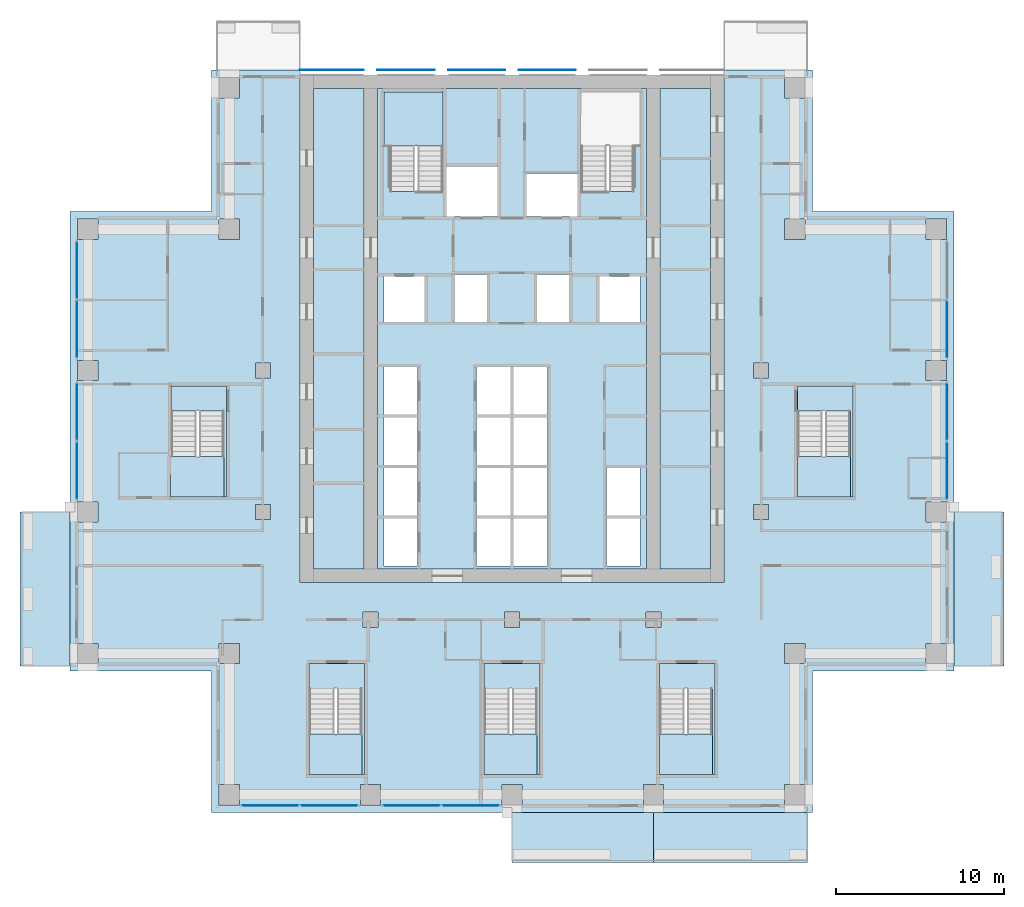
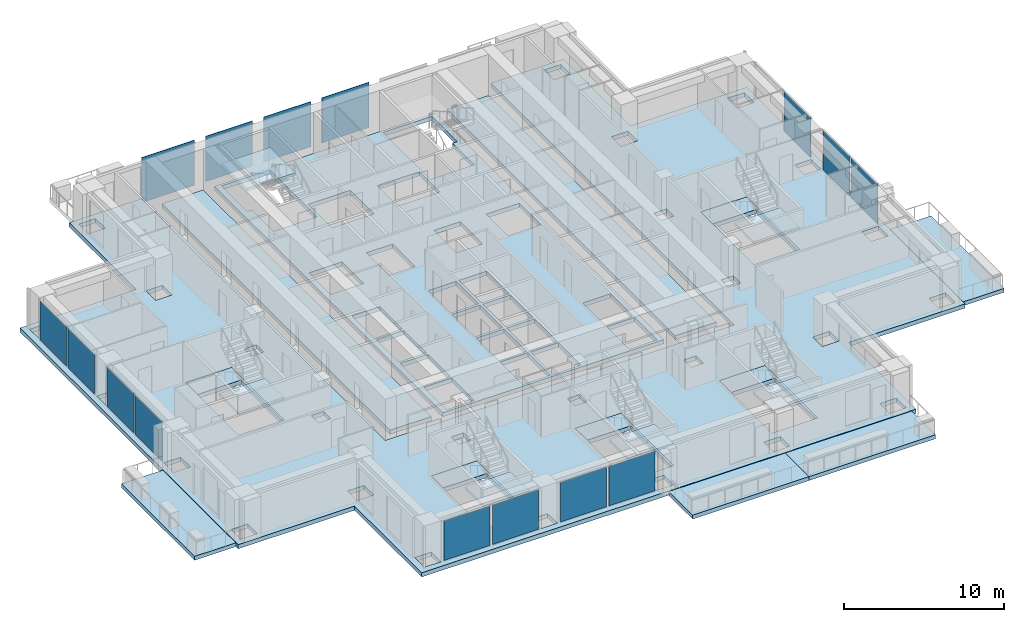
# One storey, part 7 of 18: 19 slabs, 15 plates, 12 elements without a shape of their own.
"""IFC4 building model written with IfcOpenShell, lengths in metres."""

import ifcopenshell
import ifcopenshell.guid

model = None  # the IFC model being written
_history = None  # IfcOwnerHistory: only IFC2X3 demands one
_inside = {}  # id of a spatial element -> (the spatial element, [elements in it])
_under = {}  # id of a project, library or spatial element -> (it, [spatial elements below it])
_declared = {}  # id of a project -> (the project, [libraries it declares])
_typed = {}  # id of a type object -> (the type object, [elements of that type])
_made_of = {}  # id of a material, layer set ... -> (it, [elements and type objects made of it])


def new_model(schema):
    """Start an empty IFC model of exactly this schema.

    Asked for "IFC4X3", IfcOpenShell would pick the latest addendum, in which some entities
    have other attributes; the version numbers below select the first issue.
    IFC2X3 requires an IfcOwnerHistory on every rooted entity: one is made here for all.
    """
    global model, _history
    if schema == "IFC4X3":
        model = ifcopenshell.file(schema_version=(4, 3, 0, 0))
    else:
        model = ifcopenshell.file(schema=schema)
    _inside.clear()
    _under.clear()
    _declared.clear()
    _typed.clear()
    _made_of.clear()
    _history = None
    if model.schema == "IFC2X3":
        org = make("IfcOrganization", Name="unknown")
        user = make(
            "IfcPersonAndOrganization",
            ThePerson=make("IfcPerson", FamilyName="unknown"),
            TheOrganization=org,
        )
        app = make(
            "IfcApplication",
            ApplicationDeveloper=org,
            Version="unknown",
            ApplicationFullName="unknown",
            ApplicationIdentifier="unknown",
        )
        _history = make(
            "IfcOwnerHistory",
            OwningUser=user,
            OwningApplication=app,
            ChangeAction="ADDED",
            CreationDate=0,
        )
    return model


def make(cls, **values):
    """One entity of the class cls with the attributes given. An attribute that is None is left unset."""
    return model.create_entity(
        cls, **{name: value for name, value in values.items() if value is not None}
    )


def rooted(cls, **values):
    """An entity with a GlobalId (a new one), such as an element, a storey or a relation."""
    return make(cls, GlobalId=ifcopenshell.guid.new(), OwnerHistory=_history, **values)


def si_unit(unit_type, name, prefix=None):
    """IfcSIUnit, for example si_unit("LENGTHUNIT", "METRE", prefix="MILLI")."""
    return make("IfcSIUnit", UnitType=unit_type, Prefix=prefix, Name=name)


def assignment(units):
    """IfcUnitAssignment: the units of a project."""
    return None if units is None else make("IfcUnitAssignment", Units=units)


def point(xyz):
    """IfcCartesianPoint."""
    return None if xyz is None else make("IfcCartesianPoint", Coordinates=xyz)


def direction(xyz):
    """IfcDirection."""
    return None if xyz is None else make("IfcDirection", DirectionRatios=xyz)


def frame(location, z_axis=None, x_axis=None):
    """IfcAxis2Placement3D, a coordinate frame: its origin and axes. An axis left out is left unset."""
    return make(
        "IfcAxis2Placement3D",
        Location=point(location),
        Axis=direction(z_axis),
        RefDirection=direction(x_axis),
    )


def frame_2d(location, x_axis=None):
    """IfcAxis2Placement2D, a coordinate frame in the plane: its origin and x axis."""
    return make(
        "IfcAxis2Placement2D", Location=point(location), RefDirection=direction(x_axis)
    )


def origin():
    """The frame at (0, 0, 0) with its axes left unset."""
    return frame((0.0, 0.0, 0.0))


def origin_2d():
    """The frame at (0, 0) in the plane with its x axis left unset."""
    return frame_2d((0.0, 0.0))


def place(relative_to, where):
    """IfcLocalPlacement: puts the frame where relative to a parent placement (None: the world)."""
    return make(
        "IfcLocalPlacement", PlacementRelTo=relative_to, RelativePlacement=where
    )


def context(
    kind, dimensions, precision=None, world=None, true_north=None, identifier=None
):
    """IfcGeometricRepresentationContext, for example the 3D "Model" context."""
    return make(
        "IfcGeometricRepresentationContext",
        ContextIdentifier=identifier,
        ContextType=kind,
        CoordinateSpaceDimension=dimensions,
        Precision=precision,
        WorldCoordinateSystem=world,
        TrueNorth=true_north,
    )


def subcontext(parent, identifier, kind, view, scale=None):
    """IfcGeometricRepresentationSubContext, for example "Body" below "Model"."""
    return make(
        "IfcGeometricRepresentationSubContext",
        ContextIdentifier=identifier,
        ContextType=kind,
        ParentContext=parent,
        TargetScale=scale,
        TargetView=view,
    )


def project(units=None, contexts=None):
    """IfcProject with its units and contexts."""
    return rooted(
        "IfcProject",
        Name="project",
        RepresentationContexts=contexts,
        UnitsInContext=assignment(units),
    )


def spatial(cls, under=None, at=None, **own):
    """A site, building, storey or space (cls), placed at a placement, below another one or the project."""
    s = rooted(cls, ObjectPlacement=at, **own)
    if under is not None:
        _under.setdefault(under.id(), (under, []))[1].append(s)
    return s


def polyline(points):
    """IfcPolyline through the points."""
    return make("IfcPolyline", Points=[point(p) for p in points])


def profile(cls, at=None, kind="AREA", **sizes):
    """A parametric profile (cls). Its sizes go by their IFC names, for example OverallWidth=200.0."""
    return make(cls, ProfileType=kind, Position=at, **sizes)


def rectangle(**sizes):
    """IfcRectangleProfileDef."""
    return profile("IfcRectangleProfileDef", **sizes)


def outline(outer, holes=None, kind="AREA"):
    """IfcArbitraryClosedProfileDef: a profile drawn as a closed curve; with holes, ...WithVoids."""
    if holes is None:
        return make("IfcArbitraryClosedProfileDef", ProfileType=kind, OuterCurve=outer)
    return make(
        "IfcArbitraryProfileDefWithVoids",
        ProfileType=kind,
        OuterCurve=outer,
        InnerCurves=holes,
    )


def extrude(swept, where, along, depth):
    """IfcExtrudedAreaSolid: the profile swept, set in the frame where, extruded along a direction by depth."""
    return make(
        "IfcExtrudedAreaSolid",
        SweptArea=swept,
        Position=where,
        ExtrudedDirection=direction(along),
        Depth=depth,
    )


def shape(context_of_items, identifier, shape_type, items):
    """IfcShapeRepresentation: the items that make up one representation, for example the "Body"."""
    return make(
        "IfcShapeRepresentation",
        ContextOfItems=context_of_items,
        RepresentationIdentifier=identifier,
        RepresentationType=shape_type,
        Items=items,
    )


def material(Name=None, Category=None):
    """IfcMaterial."""
    return make("IfcMaterial", Name=Name, Category=Category)


def layer(
    of_material, thickness, ventilated=None, Name=None, Category=None, Priority=None
):
    """IfcMaterialLayer: one layer of a wall or slab, of a material (None: an air gap)."""
    return make(
        "IfcMaterialLayer",
        Material=of_material,
        LayerThickness=thickness,
        IsVentilated=ventilated,
        Name=Name,
        Category=Category,
        Priority=Priority,
    )


def layer_set(layers, Name=None):
    """IfcMaterialLayerSet."""
    return make("IfcMaterialLayerSet", MaterialLayers=layers, LayerSetName=Name)


def made_of(thing, what):
    """Note that an element or type object is made of a material, layer set ...; save() writes the relation."""
    if what is not None:
        _made_of.setdefault(what.id(), (what, []))[1].append(thing)
    return thing


def type_object(cls, material=None, **own):
    """A type object (cls), such as IfcWallType, which elements share."""
    return made_of(rooted(cls, **own), material)


def element(
    cls,
    number,
    at=None,
    inside=None,
    cuts=None,
    type_object=None,
    material=None,
    context=None,
    identifier="Body",
    shape_type=None,
    held_by="IfcProductDefinitionShape",
    body=None,
    shapes=None,
    **own,
):
    """One element of the class cls, such as IfcWall. Its Tag is "e" and its number.

    at: its placement. inside: the storey or other place that contains it. cuts: it is an
    opening in that element (IfcRelVoidsElement). A single representation is given by context,
    identifier, shape_type and body (its items); several are given by shapes. held_by: the class
    of the entity that holds the representations. save() writes the other relations.
    """
    e = rooted(cls, Tag="e%d" % number, ObjectPlacement=at, **own)
    if body is not None:
        shapes = [shape(context, identifier, shape_type, body)]
    if shapes is not None:
        e.Representation = make(held_by, Representations=shapes)
    if inside is not None:
        _inside.setdefault(inside.id(), (inside, []))[1].append(e)
    if cuts is not None:
        rooted(
            "IfcRelVoidsElement", RelatingBuildingElement=cuts, RelatedOpeningElement=e
        )
    if type_object is not None:
        _typed.setdefault(type_object.id(), (type_object, []))[1].append(e)
    return made_of(e, material)


def aggregate(whole, parts):
    """IfcRelAggregates: a whole, such as a stair, and the parts it consists of."""
    return rooted("IfcRelAggregates", RelatingObject=whole, RelatedObjects=parts)


def save(model, path):
    """Write the relations noted so far, then the file.

    IfcRelAggregates (storeys below a building ...), IfcRelContainedInSpatialStructure (elements
    in a storey), IfcRelDefinesByType, IfcRelAssociatesMaterial and IfcRelDeclares: one each for
    every whole, place, type object, material and project.
    """
    for whole, parts in _under.values():
        aggregate(whole, parts)
    for where, things in _inside.values():
        rooted(
            "IfcRelContainedInSpatialStructure",
            RelatedElements=things,
            RelatingStructure=where,
        )
    for kind, things in _typed.values():
        rooted("IfcRelDefinesByType", RelatedObjects=things, RelatingType=kind)
    for what, things in _made_of.values():
        rooted("IfcRelAssociatesMaterial", RelatedObjects=things, RelatingMaterial=what)
    for by, libraries in _declared.values():
        rooted("IfcRelDeclares", RelatingContext=by, RelatedDefinitions=libraries)
    model.write(path)


model = new_model("IFC4")

# Units and contexts
model_context = context("Model", 3, precision=1e-05, world=origin(), true_north=direction((0.0, 1.0)))
body_context = subcontext(model_context, "Body", "Model", "MODEL_VIEW")
ifc_project = project(units=[si_unit("LENGTHUNIT", "METRE"), si_unit("AREAUNIT", "SQUARE_METRE"), si_unit("VOLUMEUNIT", "CUBIC_METRE"), si_unit("PLANEANGLEUNIT", "RADIAN"), si_unit("MASSUNIT", "GRAM", prefix="KILO")], contexts=[model_context])

# Site, building, storey
site_placement = place(None, origin())
site = spatial("IfcSite", under=ifc_project, at=site_placement, CompositionType="ELEMENT")
building_placement = place(site_placement, origin())
building = spatial("IfcBuilding", under=site, at=building_placement, Name="Vermilion Ogive Tower", CompositionType="ELEMENT")
storey_placement = place(building_placement, frame((0.0, 0.0, 94.199951171875)))
storey = spatial("IfcBuildingStorey", under=building, at=storey_placement, Name="L23", CompositionType="ELEMENT", Elevation=94.199951171875)

# Slabs
ifc_material_1 = material(Name="Concrete B40", Category="concrete")
ifc_layer_1 = layer(ifc_material_1, 0.300048828125)
ifc_layer_set_1 = layer_set([ifc_layer_1], Name="Balcony slab")
slab_type_1 = type_object("IfcSlabType", Name="Balcony slab", PredefinedType="FLOOR", material=ifc_layer_set_1)
slab_1_placement = place(storey_placement, frame((0.0, 0.0, -0.33984375)))
element("IfcSlab", 1, at=slab_1_placement, inside=storey, type_object=slab_type_1, Name="Balcony slab S03", PredefinedType="FLOOR", context=body_context, shape_type="SweptSolid", body=[
    extrude(outline(polyline([(0.0, -25.030029296875), (8.39990234375, -25.030029296875), (8.39990234375, -22.050048828125), (0.0, -22.050048828125), (0.0, -25.030029296875)])), origin(), (0.0, 0.0, 1.0), 0.2998046875),
])
slab_2_placement = place(storey_placement, frame((0.0, 0.0, -0.33984375)))
element("IfcSlab", 2, at=slab_2_placement, inside=storey, type_object=slab_type_1, Name="Balcony slab S04", PredefinedType="FLOOR", context=body_context, shape_type="SweptSolid", body=[
    extrude(outline(polyline([(8.39990234375, -25.030029296875), (17.550048828125, -25.030029296875), (17.550048828125, -22.050048828125), (8.39990234375, -22.050048828125), (8.39990234375, -25.030029296875)])), origin(), (0.0, 0.0, 1.0), 0.2998046875),
])
slab_3_placement = place(storey_placement, frame((0.0, 0.0, -0.33984375)))
element("IfcSlab", 3, at=slab_3_placement, inside=storey, type_object=slab_type_1, Name="Balcony slab E01", PredefinedType="FLOOR", context=body_context, shape_type="SweptSolid", body=[
    extrude(outline(polyline([(29.22998046875, -13.35009765625), (29.22998046875, -4.199951171875), (26.25, -4.199951171875), (26.25, -13.35009765625), (29.22998046875, -13.35009765625)])), origin(), (0.0, 0.0, 1.0), 0.2998046875),
])
slab_4_placement = place(storey_placement, frame((0.0, 0.0, -0.33984375)))
element("IfcSlab", 4, at=slab_4_placement, inside=storey, type_object=slab_type_1, Name="Balcony slab W03", PredefinedType="FLOOR", context=body_context, shape_type="SweptSolid", body=[
    extrude(outline(polyline([(-29.22998046875, -4.199951171875), (-29.22998046875, -13.35009765625), (-26.25, -13.35009765625), (-26.25, -4.199951171875), (-29.22998046875, -4.199951171875)])), origin(), (0.0, 0.0, 1.0), 0.2998046875),
])

# Curtain wall, plates
ifc_material_2 = material(Name="Low-iron laminated glazing in aluminium frame", Category="aluminium")
curtain_wall_type = type_object("IfcCurtainWallType", Name="Curtain wall CW7", PredefinedType="NOTDEFINED", material=ifc_material_2)
curtain_wall_1_placement = place(storey_placement, origin())
curtain_wall_1 = element("IfcCurtainWall", 5, at=curtain_wall_1_placement, inside=storey, type_object=curtain_wall_type, Name="Glazed skin S1", PredefinedType="NOTDEFINED")
ifc_material_3 = material(Name="Low-iron laminated glazing in aluminium frame", Category="aluminium")
ifc_layer_2 = layer(ifc_material_3, 0.031982421875)
ifc_layer_set_2 = layer_set([ifc_layer_2], Name="CW7 glazing panel 32")
plate_type_1 = type_object("IfcPlateType", Name="CW7 glazing panel 32", PredefinedType="CURTAIN_PANEL", material=ifc_layer_set_2)
plate_1_placement = place(storey_placement, frame((-14.35498046875, -21.64990234375, 0.06005859375), z_axis=(0.0, 0.0, 1.0), x_axis=(1.0, 0.0, 0.0)))
plate_1 = element("IfcPlate", 6, at=plate_1_placement, type_object=plate_type_1, Name="CW7-S1 panel 1.1", PredefinedType="CURTAIN_PANEL", context=body_context, shape_type="SweptSolid", body=[
    extrude(rectangle(XDim=3.330078125, YDim=0.031982421875, at=origin_2d()), origin(), (0.0, 0.0, 1.0), 3.010009765625),
])
plate_2_placement = place(storey_placement, frame((-10.844970703125, -21.64990234375, 0.06005859375), z_axis=(0.0, 0.0, 1.0), x_axis=(1.0, 0.0, 0.0)))
plate_2 = element("IfcPlate", 7, at=plate_2_placement, type_object=plate_type_1, Name="CW7-S1 panel 2.1", PredefinedType="CURTAIN_PANEL", context=body_context, shape_type="SweptSolid", body=[
    extrude(rectangle(XDim=3.330078125, YDim=0.031982421875, at=origin_2d()), origin(), (0.0, 0.0, 1.0), 3.010009765625),
])
aggregate(curtain_wall_1, [plate_1, plate_2])

curtain_wall_2_placement = place(storey_placement, origin())
curtain_wall_2 = element("IfcCurtainWall", 8, at=curtain_wall_2_placement, inside=storey, type_object=curtain_wall_type, Name="Glazed skin S2", PredefinedType="NOTDEFINED")
plate_3_placement = place(storey_placement, frame((-5.955078125, -21.64990234375, 0.06005859375), z_axis=(0.0, 0.0, 1.0), x_axis=(1.0, 0.0, 0.0)))
plate_3 = element("IfcPlate", 9, at=plate_3_placement, type_object=plate_type_1, Name="CW7-S2 panel 1.1", PredefinedType="CURTAIN_PANEL", context=body_context, shape_type="SweptSolid", body=[
    extrude(rectangle(XDim=3.330078125, YDim=0.031982421875, at=origin_2d()), origin(), (0.0, 0.0, 1.0), 3.010009765625),
])
plate_4_placement = place(storey_placement, frame((-2.445068359375, -21.64990234375, 0.06005859375), z_axis=(0.0, 0.0, 1.0), x_axis=(1.0, 0.0, 0.0)))
plate_4 = element("IfcPlate", 10, at=plate_4_placement, type_object=plate_type_1, Name="CW7-S2 panel 2.1", PredefinedType="CURTAIN_PANEL", context=body_context, shape_type="SweptSolid", body=[
    extrude(rectangle(XDim=3.330078125, YDim=0.031982421875, at=origin_2d()), origin(), (0.0, 0.0, 1.0), 3.010009765625),
])
aggregate(curtain_wall_2, [plate_3, plate_4])

curtain_wall_3_placement = place(storey_placement, origin())
curtain_wall_3 = element("IfcCurtainWall", 11, at=curtain_wall_3_placement, inside=storey, type_object=curtain_wall_type, Name="Glazed skin E2", PredefinedType="NOTDEFINED")
plate_5_placement = place(storey_placement, frame((25.85009765625, -1.7548828125, 0.06005859375), z_axis=(0.0, 0.0, 1.0), x_axis=(0.0, 1.0, 0.0)))
plate_5 = element("IfcPlate", 12, at=plate_5_placement, type_object=plate_type_1, Name="CW7-E2 panel 1.1", PredefinedType="CURTAIN_PANEL", context=body_context, shape_type="SweptSolid", body=[
    extrude(rectangle(XDim=3.330078125, YDim=0.031982421875, at=origin_2d()), origin(), (0.0, 0.0, 1.0), 3.010009765625),
])
plate_6_placement = place(storey_placement, frame((25.85009765625, 1.7548828125, 0.06005859375), z_axis=(0.0, 0.0, 1.0), x_axis=(0.0, 1.0, 0.0)))
plate_6 = element("IfcPlate", 13, at=plate_6_placement, type_object=plate_type_1, Name="CW7-E2 panel 2.1", PredefinedType="CURTAIN_PANEL", context=body_context, shape_type="SweptSolid", body=[
    extrude(rectangle(XDim=3.330078125, YDim=0.031982421875, at=origin_2d()), origin(), (0.0, 0.0, 1.0), 3.010009765625),
])
aggregate(curtain_wall_3, [plate_5, plate_6])

# Curtain wall, plate
curtain_wall_4_placement = place(storey_placement, origin())
curtain_wall_4 = element("IfcCurtainWall", 14, at=curtain_wall_4_placement, inside=storey, type_object=curtain_wall_type, Name="Glazed skin E3", PredefinedType="NOTDEFINED")
plate_7_placement = place(storey_placement, frame((25.85009765625, 6.64501953125, 0.06005859375), z_axis=(0.0, 0.0, 1.0), x_axis=(0.0, 1.0, 0.0)))
plate_7 = element("IfcPlate", 15, at=plate_7_placement, type_object=plate_type_1, Name="CW7-E3 panel 1.1", PredefinedType="CURTAIN_PANEL", context=body_context, shape_type="SweptSolid", body=[
    extrude(rectangle(XDim=3.330078125, YDim=0.031982421875, at=origin_2d()), origin(), (0.0, 0.0, 1.0), 3.010009765625),
])
aggregate(curtain_wall_4, [plate_7])

# Curtain wall, plates
curtain_wall_5_placement = place(storey_placement, origin())
curtain_wall_5 = element("IfcCurtainWall", 16, at=curtain_wall_5_placement, inside=storey, type_object=curtain_wall_type, Name="Glazed skin W1", PredefinedType="NOTDEFINED")
plate_8_placement = place(storey_placement, frame((-25.85009765625, 10.155029296875, 0.06005859375), z_axis=(0.0, 0.0, 1.0), x_axis=(0.0, -1.0, 0.0)))
plate_8 = element("IfcPlate", 17, at=plate_8_placement, type_object=plate_type_1, Name="CW7-W1 panel 1.1", PredefinedType="CURTAIN_PANEL", context=body_context, shape_type="SweptSolid", body=[
    extrude(rectangle(XDim=3.330078125, YDim=0.031982421875, at=origin_2d()), origin(), (0.0, 0.0, 1.0), 3.010009765625),
])
plate_9_placement = place(storey_placement, frame((-25.85009765625, 6.64501953125, 0.06005859375), z_axis=(0.0, 0.0, 1.0), x_axis=(0.0, -1.0, 0.0)))
plate_9 = element("IfcPlate", 18, at=plate_9_placement, type_object=plate_type_1, Name="CW7-W1 panel 2.1", PredefinedType="CURTAIN_PANEL", context=body_context, shape_type="SweptSolid", body=[
    extrude(rectangle(XDim=3.330078125, YDim=0.031982421875, at=origin_2d()), origin(), (0.0, 0.0, 1.0), 3.010009765625),
])
aggregate(curtain_wall_5, [plate_8, plate_9])

curtain_wall_6_placement = place(storey_placement, origin())
curtain_wall_6 = element("IfcCurtainWall", 19, at=curtain_wall_6_placement, inside=storey, type_object=curtain_wall_type, Name="Glazed skin W2", PredefinedType="NOTDEFINED")
plate_10_placement = place(storey_placement, frame((-25.85009765625, 1.7548828125, 0.06005859375), z_axis=(0.0, 0.0, 1.0), x_axis=(0.0, -1.0, 0.0)))
plate_10 = element("IfcPlate", 20, at=plate_10_placement, type_object=plate_type_1, Name="CW7-W2 panel 1.1", PredefinedType="CURTAIN_PANEL", context=body_context, shape_type="SweptSolid", body=[
    extrude(rectangle(XDim=3.330078125, YDim=0.031982421875, at=origin_2d()), origin(), (0.0, 0.0, 1.0), 3.010009765625),
])
plate_11_placement = place(storey_placement, frame((-25.85009765625, -1.7548828125, 0.06005859375), z_axis=(0.0, 0.0, 1.0), x_axis=(0.0, -1.0, 0.0)))
plate_11 = element("IfcPlate", 21, at=plate_11_placement, type_object=plate_type_1, Name="CW7-W2 panel 2.1", PredefinedType="CURTAIN_PANEL", context=body_context, shape_type="SweptSolid", body=[
    extrude(rectangle(XDim=3.330078125, YDim=0.031982421875, at=origin_2d()), origin(), (0.0, 0.0, 1.0), 3.010009765625),
])
aggregate(curtain_wall_6, [plate_10, plate_11])

# Slabs
ifc_material_4 = material(Name="Concrete B40", Category="concrete")
ifc_layer_3 = layer(ifc_material_4, 0.320068359375)
ifc_layer_set_3 = layer_set([ifc_layer_3], Name="Core floor slab 320 B40")
slab_type_2 = type_object("IfcSlabType", Name="Core floor slab 320 B40", PredefinedType="FLOOR", material=ifc_layer_set_3)
slab_5_placement = place(storey_placement, frame((0.0, 0.0, -0.320068359375)))
element("IfcSlab", 22, at=slab_5_placement, inside=storey, type_object=slab_type_2, Name="L23-CK-FS1", PredefinedType="FLOOR", context=body_context, shape_type="SweptSolid", body=[
    extrude(outline(polyline([(-8.803955078125, 20.946044921875), (-8.803955078125, -7.595947265625), (-11.7958984375, -7.595947265625), (-11.7958984375, 20.946044921875), (-8.803955078125, 20.946044921875)])), origin(), (0.0, 0.0, 1.0), 0.320068359375),
])
slab_6_placement = place(storey_placement, frame((0.0, 0.0, -0.320068359375)))
element("IfcSlab", 23, at=slab_6_placement, inside=storey, type_object=slab_type_2, Name="L23-CK-FS2", PredefinedType="FLOOR", context=body_context, shape_type="SweptSolid", body=[
    extrude(outline(polyline([(-7.99609375, 20.946044921875), (-7.99609375, -7.595947265625), (7.99609375, -7.595947265625), (7.99609375, 20.946044921875), (-7.99609375, 20.946044921875)]), holes=[polyline([(-7.60009765625, -4.60009765625), (-5.60009765625, -4.60009765625), (-5.60009765625, -7.39990234375), (-7.60009765625, -7.39990234375), (-7.60009765625, -4.60009765625)]), polyline([(-2.10009765625, -4.60009765625), (-0.10009765625, -4.60009765625), (-0.10009765625, -7.39990234375), (-2.10009765625, -7.39990234375), (-2.10009765625, -4.60009765625)]), polyline([(-7.60009765625, -4.39990234375), (-7.60009765625, -1.60009765625), (-5.60009765625, -1.60009765625), (-5.60009765625, -4.39990234375), (-7.60009765625, -4.39990234375)]), polyline([(-2.10009765625, -1.60009765625), (-0.10009765625, -1.60009765625), (-0.10009765625, -4.39990234375), (-2.10009765625, -4.39990234375), (-2.10009765625, -1.60009765625)]), polyline([(-7.60009765625, -1.39990234375), (-7.60009765625, 1.39990234375), (-5.60009765625, 1.39990234375), (-5.60009765625, -1.39990234375), (-7.60009765625, -1.39990234375)]), polyline([(-2.10009765625, 1.39990234375), (-0.10009765625, 1.39990234375), (-0.10009765625, -1.39990234375), (-2.10009765625, -1.39990234375), (-2.10009765625, 1.39990234375)]), polyline([(-7.60009765625, 4.39990234375), (-5.60009765625, 4.39990234375), (-5.60009765625, 1.60009765625), (-7.60009765625, 1.60009765625), (-7.60009765625, 4.39990234375)]), polyline([(-2.10009765625, 4.39990234375), (-0.10009765625, 4.39990234375), (-0.10009765625, 1.60009765625), (-2.10009765625, 1.60009765625), (-2.10009765625, 4.39990234375)]), polyline([(-7.60009765625, 9.800048828125), (-5.199951171875, 9.800048828125), (-5.199951171875, 7.10009765625), (-7.60009765625, 7.10009765625), (-7.60009765625, 9.800048828125)]), polyline([(-3.39990234375, 9.89990234375), (-1.5, 9.89990234375), (-1.5, 7.10009765625), (-3.39990234375, 7.10009765625), (-3.39990234375, 9.89990234375)]), polyline([(-3.89990234375, 16.300048828125), (-0.85009765625, 16.300048828125), (-0.85009765625, 13.35009765625), (-3.89990234375, 13.35009765625), (-3.89990234375, 16.300048828125)]), polyline([(-7.60009765625, 17.550048828125), (-7.60009765625, 20.75), (-4.10009765625, 20.75), (-4.10009765625, 14.85205078125), (-5.60009765625, 14.85205078125), (-5.60009765625, 14.85009765625), (-5.75, 14.85009765625), (-5.75, 14.85205078125), (-7.25, 14.85205078125), (-7.25, 17.550048828125), (-7.60009765625, 17.550048828125)]), polyline([(0.10009765625, -4.60009765625), (2.10009765625, -4.60009765625), (2.10009765625, -7.39990234375), (0.10009765625, -7.39990234375), (0.10009765625, -4.60009765625)]), polyline([(5.60009765625, -4.60009765625), (7.60009765625, -4.60009765625), (7.60009765625, -7.39990234375), (5.60009765625, -7.39990234375), (5.60009765625, -4.60009765625)]), polyline([(0.10009765625, -1.60009765625), (2.10009765625, -1.60009765625), (2.10009765625, -4.39990234375), (0.10009765625, -4.39990234375), (0.10009765625, -1.60009765625)]), polyline([(5.60009765625, -1.60009765625), (7.60009765625, -1.60009765625), (7.60009765625, -4.39990234375), (5.60009765625, -4.39990234375), (5.60009765625, -1.60009765625)]), polyline([(0.10009765625, 1.39990234375), (2.10009765625, 1.39990234375), (2.10009765625, -1.39990234375), (0.10009765625, -1.39990234375), (0.10009765625, 1.39990234375)]), polyline([(0.10009765625, 4.39990234375), (2.10009765625, 4.39990234375), (2.10009765625, 1.60009765625), (0.10009765625, 1.60009765625), (0.10009765625, 4.39990234375)]), polyline([(5.199951171875, 9.800048828125), (7.60009765625, 9.800048828125), (7.60009765625, 7.10009765625), (5.199951171875, 7.10009765625), (5.199951171875, 9.800048828125)]), polyline([(1.5, 9.89990234375), (3.39990234375, 9.89990234375), (3.39990234375, 7.10009765625), (1.5, 7.10009765625), (1.5, 9.89990234375)]), polyline([(0.85009765625, 15.89990234375), (3.89990234375, 15.89990234375), (3.89990234375, 13.35009765625), (0.85009765625, 13.35009765625), (0.85009765625, 15.89990234375)]), polyline([(5.75, 14.85009765625), (5.60009765625, 14.85009765625), (5.60009765625, 14.85205078125), (4.10009765625, 14.85205078125), (4.10009765625, 17.550048828125), (4.074951171875, 17.550048828125), (4.074951171875, 20.75), (7.60009765625, 20.75), (7.60009765625, 17.550048828125), (7.25, 17.550048828125), (7.25, 14.85205078125), (5.75, 14.85205078125), (5.75, 14.85009765625)])]), origin(), (0.0, 0.0, 1.0), 0.320068359375),
])
slab_7_placement = place(storey_placement, frame((0.0, 0.0, -0.320068359375)))
element("IfcSlab", 24, at=slab_7_placement, inside=storey, type_object=slab_type_2, Name="L23-CK-FS3", PredefinedType="FLOOR", context=body_context, shape_type="SweptSolid", body=[
    extrude(outline(polyline([(11.7958984375, -7.595947265625), (8.803955078125, -7.595947265625), (8.803955078125, 20.946044921875), (11.7958984375, 20.946044921875), (11.7958984375, -7.595947265625)])), origin(), (0.0, 0.0, 1.0), 0.320068359375),
])
slab_8_placement = place(storey_placement, frame((0.0, 0.0, -0.320068359375)))
element("IfcSlab", 25, at=slab_8_placement, inside=storey, type_object=slab_type_2, Name="L23-SF-ST3-1", PredefinedType="FLOOR", context=body_context, shape_type="SweptSolid", body=[
    extrude(outline(polyline([(-12.050048828125, -13.199951171875), (-12.050048828125, -14.701904296875), (-10.550048828125, -14.701904296875), (-10.550048828125, -14.699951171875), (-10.39990234375, -14.699951171875), (-10.39990234375, -14.701904296875), (-8.89990234375, -14.701904296875), (-8.89990234375, -19.800048828125), (-8.75, -19.800048828125), (-8.75, -13.199951171875), (-12.050048828125, -13.199951171875)])), origin(), (0.0, 0.0, 1.0), 0.320068359375),
])
slab_9_placement = place(storey_placement, frame((0.0, 0.0, -0.320068359375)))
element("IfcSlab", 26, at=slab_9_placement, inside=storey, type_object=slab_type_2, Name="L23-SF-ST4-1", PredefinedType="FLOOR", context=body_context, shape_type="SweptSolid", body=[
    extrude(outline(polyline([(-1.64990234375, -13.199951171875), (-1.64990234375, -14.701904296875), (-0.14990234375, -14.701904296875), (-0.14990234375, -14.699951171875), (0.0, -14.699951171875), (0.0, -14.701904296875), (1.5, -14.701904296875), (1.5, -19.800048828125), (1.64990234375, -19.800048828125), (1.64990234375, -13.199951171875), (-1.64990234375, -13.199951171875)])), origin(), (0.0, 0.0, 1.0), 0.320068359375),
])
slab_10_placement = place(storey_placement, frame((0.0, 0.0, -0.320068359375)))
element("IfcSlab", 27, at=slab_10_placement, inside=storey, type_object=slab_type_2, Name="L23-SF-ST5-1", PredefinedType="FLOOR", context=body_context, shape_type="SweptSolid", body=[
    extrude(outline(polyline([(8.75, -13.199951171875), (8.75, -14.701904296875), (10.25, -14.701904296875), (10.25, -14.699951171875), (10.39990234375, -14.699951171875), (10.39990234375, -14.701904296875), (11.89990234375, -14.701904296875), (11.89990234375, -19.800048828125), (12.050048828125, -19.800048828125), (12.050048828125, -13.199951171875), (8.75, -13.199951171875)])), origin(), (0.0, 0.0, 1.0), 0.320068359375),
])
slab_11_placement = place(storey_placement, frame((0.0, 0.0, -0.320068359375)))
element("IfcSlab", 28, at=slab_11_placement, inside=storey, type_object=slab_type_2, Name="L23-SF-ST8-1", PredefinedType="FLOOR", context=body_context, shape_type="SweptSolid", body=[
    extrude(outline(polyline([(16.949951171875, 3.300048828125), (16.949951171875, 1.798095703125), (18.449951171875, 1.798095703125), (18.449951171875, 1.800048828125), (18.60009765625, 1.800048828125), (18.60009765625, 1.798095703125), (20.10009765625, 1.798095703125), (20.10009765625, -3.300048828125), (20.25, -3.300048828125), (20.25, 3.300048828125), (16.949951171875, 3.300048828125)])), origin(), (0.0, 0.0, 1.0), 0.320068359375),
])
slab_12_placement = place(storey_placement, frame((0.0, 0.0, -0.320068359375)))
element("IfcSlab", 29, at=slab_12_placement, inside=storey, type_object=slab_type_2, Name="L23-SF-ST9-1", PredefinedType="FLOOR", context=body_context, shape_type="SweptSolid", body=[
    extrude(outline(polyline([(-20.25, 3.300048828125), (-20.25, 1.798095703125), (-18.75, 1.798095703125), (-18.75, 1.800048828125), (-18.60009765625, 1.800048828125), (-18.60009765625, 1.798095703125), (-17.10009765625, 1.798095703125), (-17.10009765625, -3.300048828125), (-16.949951171875, -3.300048828125), (-16.949951171875, 3.300048828125), (-20.25, 3.300048828125)])), origin(), (0.0, 0.0, 1.0), 0.320068359375),
])

# Plates
ifc_material_5 = material(Name="Low-iron laminated glazing in aluminium frame", Category="aluminium")
ifc_layer_4 = layer(ifc_material_5, 0.031982421875)
ifc_layer_set_4 = layer_set([ifc_layer_4], Name="Glazed rainscreen sheet 32")
plate_type_2 = type_object("IfcPlateType", Name="Glazed rainscreen sheet 32", PredefinedType="SHEET", material=ifc_layer_set_4)
plate_12_placement = place(storey_placement, frame((-10.7099609375, 22.06591796875, -0.31982421875), z_axis=(0.0, 0.0, 1.0), x_axis=(1.0, 0.0, 0.0)))
element("IfcPlate", 30, at=plate_12_placement, inside=storey, type_object=plate_type_2, Name="Glazed rainscreen sheet N1", PredefinedType="SHEET", context=body_context, shape_type="SweptSolid", body=[
    extrude(rectangle(XDim=3.820068359375, YDim=0.031982421875, at=origin_2d()), origin(), (0.0, 0.0, 1.0), 3.449951171875),
])
for number, where, z_axis, x_axis, name in (
    (31, (-6.300048828125, 22.06591796875, -0.31982421875), (0.0, 0.0, 1.0), (1.0, 0.0, 0.0), "Glazed rainscreen sheet N2"),
    (32, (-2.10009765625, 22.06591796875, -0.31982421875), (0.0, 0.0, 1.0), (1.0, 0.0, 0.0), "Glazed rainscreen sheet N3"),
    (33, (2.10009765625, 22.06591796875, -0.31982421875), (0.0, 0.0, 1.0), (1.0, 0.0, 0.0), "Glazed rainscreen sheet N4"),
):
    element("IfcPlate", number, at=place(storey_placement, frame(where, z_axis=z_axis, x_axis=x_axis)), inside=storey, type_object=plate_type_2, Name=name, PredefinedType="SHEET", context=body_context, shape_type="SweptSolid", body=[
        extrude(rectangle(XDim=3.39990234375, YDim=0.031982421875, at=origin_2d()), origin(), (0.0, 0.0, 1.0), 3.449951171875),
    ])

# Slab
ifc_material_6 = material(Name="Concrete B45", Category="concrete")
ifc_layer_5 = layer(ifc_material_6, 0.320068359375)
ifc_layer_set_5 = layer_set([ifc_layer_5], Name="Post-tensioned flat plate 320 B45")
slab_type_3 = type_object("IfcSlabType", Name="Post-tensioned flat plate 320 B45", PredefinedType="FLOOR", material=ifc_layer_set_5)
slab_13_placement = place(storey_placement, frame((0.0, 0.0, -0.320068359375)))
element("IfcSlab", 34, at=slab_13_placement, inside=storey, type_object=slab_type_3, Name="L23-SL-1", PredefinedType="FLOOR", context=body_context, shape_type="SweptSolid", body=[
    extrude(outline(polyline([(-26.25, -13.64990234375), (-17.85009765625, -13.64990234375), (-17.85009765625, -22.050048828125), (17.85009765625, -22.050048828125), (17.85009765625, -13.64990234375), (26.25, -13.64990234375), (26.25, 13.64990234375), (17.85009765625, 13.64990234375), (17.85009765625, 22.050048828125), (12.60009765625, 22.050048828125), (12.60009765625, -8.39990234375), (-12.60009765625, -8.39990234375), (-12.60009765625, 22.050048828125), (-17.85009765625, 22.050048828125), (-17.85009765625, 13.64990234375), (-26.25, 13.64990234375), (-26.25, -13.64990234375)]), holes=[polyline([(25.800048828125, -3.60009765625), (25.800048828125, -4.800048828125), (24.60009765625, -4.800048828125), (24.60009765625, -3.60009765625), (25.800048828125, -3.60009765625)]), polyline([(25.800048828125, -12.0), (25.800048828125, -13.199951171875), (24.60009765625, -13.199951171875), (24.60009765625, -12.0), (25.800048828125, -12.0)]), polyline([(25.800048828125, 12.0), (24.60009765625, 12.0), (24.60009765625, 13.199951171875), (25.800048828125, 13.199951171875), (25.800048828125, 12.0)]), polyline([(25.800048828125, 3.60009765625), (24.60009765625, 3.60009765625), (24.60009765625, 4.800048828125), (25.800048828125, 4.800048828125), (25.800048828125, 3.60009765625)]), polyline([(20.25, 3.300048828125), (20.25, -3.300048828125), (16.949951171875, -3.300048828125), (16.949951171875, 3.300048828125), (20.25, 3.300048828125)]), polyline([(17.39990234375, -12.0), (17.39990234375, -13.199951171875), (16.199951171875, -13.199951171875), (16.199951171875, -12.0), (17.39990234375, -12.0)]), polyline([(17.39990234375, 20.39990234375), (16.199951171875, 20.39990234375), (16.199951171875, 21.60009765625), (17.39990234375, 21.60009765625), (17.39990234375, 20.39990234375)]), polyline([(17.39990234375, -20.39990234375), (17.39990234375, -21.60009765625), (16.199951171875, -21.60009765625), (16.199951171875, -20.39990234375), (17.39990234375, -20.39990234375)]), polyline([(17.39990234375, 13.199951171875), (17.39990234375, 12.0), (16.199951171875, 12.0), (16.199951171875, 13.199951171875), (17.39990234375, 13.199951171875)]), polyline([(15.25, 4.64990234375), (15.25, 3.75), (14.35009765625, 3.75), (14.35009765625, 4.64990234375), (15.25, 4.64990234375)]), polyline([(15.25, -4.64990234375), (14.35009765625, -4.64990234375), (14.35009765625, -3.75), (15.25, -3.75), (15.25, -4.64990234375)]), polyline([(12.050048828125, -13.199951171875), (12.050048828125, -19.800048828125), (8.75, -19.800048828125), (8.75, -13.199951171875), (12.050048828125, -13.199951171875)]), polyline([(9.0, -20.39990234375), (9.0, -21.60009765625), (7.800048828125, -21.60009765625), (7.800048828125, -20.39990234375), (9.0, -20.39990234375)]), polyline([(8.85009765625, -11.050048828125), (7.949951171875, -11.050048828125), (7.949951171875, -10.14990234375), (8.85009765625, -10.14990234375), (8.85009765625, -11.050048828125)]), polyline([(1.64990234375, -13.199951171875), (1.64990234375, -19.800048828125), (-1.64990234375, -19.800048828125), (-1.64990234375, -13.199951171875), (1.64990234375, -13.199951171875)]), polyline([(0.60009765625, -20.39990234375), (0.60009765625, -21.60009765625), (-0.60009765625, -21.60009765625), (-0.60009765625, -20.39990234375), (0.60009765625, -20.39990234375)]), polyline([(0.449951171875, -10.14990234375), (0.449951171875, -11.050048828125), (-0.449951171875, -11.050048828125), (-0.449951171875, -10.14990234375), (0.449951171875, -10.14990234375)]), polyline([(-7.800048828125, -20.39990234375), (-7.800048828125, -21.60009765625), (-9.0, -21.60009765625), (-9.0, -20.39990234375), (-7.800048828125, -20.39990234375)]), polyline([(-7.949951171875, -10.14990234375), (-7.949951171875, -11.050048828125), (-8.85009765625, -11.050048828125), (-8.85009765625, -10.14990234375), (-7.949951171875, -10.14990234375)]), polyline([(-8.75, -13.199951171875), (-8.75, -19.800048828125), (-12.050048828125, -19.800048828125), (-12.050048828125, -13.199951171875), (-8.75, -13.199951171875)]), polyline([(-14.35009765625, 4.64990234375), (-14.35009765625, 3.75), (-15.25, 3.75), (-15.25, 4.64990234375), (-14.35009765625, 4.64990234375)]), polyline([(-14.35009765625, -4.64990234375), (-15.25, -4.64990234375), (-15.25, -3.75), (-14.35009765625, -3.75), (-14.35009765625, -4.64990234375)]), polyline([(-16.199951171875, 13.199951171875), (-16.199951171875, 12.0), (-17.39990234375, 12.0), (-17.39990234375, 13.199951171875), (-16.199951171875, 13.199951171875)]), polyline([(-16.199951171875, -12.0), (-16.199951171875, -13.199951171875), (-17.39990234375, -13.199951171875), (-17.39990234375, -12.0), (-16.199951171875, -12.0)]), polyline([(-16.199951171875, -20.39990234375), (-16.199951171875, -21.60009765625), (-17.39990234375, -21.60009765625), (-17.39990234375, -20.39990234375), (-16.199951171875, -20.39990234375)]), polyline([(-16.199951171875, 20.39990234375), (-17.39990234375, 20.39990234375), (-17.39990234375, 21.60009765625), (-16.199951171875, 21.60009765625), (-16.199951171875, 20.39990234375)]), polyline([(-16.949951171875, 3.300048828125), (-16.949951171875, -3.300048828125), (-20.25, -3.300048828125), (-20.25, -3.2998046875), (-20.275146484375, -3.2998046875), (-20.275146484375, -0.89990234375), (-20.25, -0.89990234375), (-20.25, 3.300048828125), (-16.949951171875, 3.300048828125)]), polyline([(-24.60009765625, 3.60009765625), (-25.800048828125, 3.60009765625), (-25.800048828125, 4.800048828125), (-24.60009765625, 4.800048828125), (-24.60009765625, 3.60009765625)]), polyline([(-24.60009765625, 13.199951171875), (-24.60009765625, 12.0), (-25.800048828125, 12.0), (-25.800048828125, 13.199951171875), (-24.60009765625, 13.199951171875)]), polyline([(-24.60009765625, -3.60009765625), (-24.60009765625, -4.800048828125), (-25.800048828125, -4.800048828125), (-25.800048828125, -3.60009765625), (-24.60009765625, -3.60009765625)]), polyline([(-24.60009765625, -12.0), (-24.60009765625, -13.199951171875), (-25.800048828125, -13.199951171875), (-25.800048828125, -12.0), (-24.60009765625, -12.0)])]), origin(), (0.0, 0.0, 1.0), 0.320068359375),
])

# Stair, slab
ifc_material_7 = material(Name="Concrete B40", Category="concrete")
stair_type = type_object("IfcStairType", Name="Exit stair 1500", PredefinedType="HALF_TURN_STAIR", material=ifc_material_7)
stair_1_placement = place(storey_placement, origin())
stair_1 = element("IfcStair", 35, at=stair_1_placement, inside=storey, type_object=stair_type, Name="L23 Exit Stair ST1", PredefinedType="HALF_TURN_STAIR")
ifc_material_8 = material(Name="Concrete B40", Category="concrete")
ifc_layer_6 = layer(ifc_material_8, 0.199951171875)
ifc_layer_set_6 = layer_set([ifc_layer_6], Name="Stair landing 200")
slab_type_4 = type_object("IfcSlabType", Name="Stair landing 200", PredefinedType="LANDING", material=ifc_layer_set_6)
slab_14_placement = place(storey_placement, frame((0.0, 0.0, 1.525146484375)))
slab_14 = element("IfcSlab", 36, at=slab_14_placement, type_object=slab_type_4, Name="ST1 landing 1", PredefinedType="LANDING", context=body_context, shape_type="SweptSolid", body=[
    extrude(outline(polyline([(-7.60009765625, 17.550048828125), (-7.25, 17.550048828125), (-7.25, 17.548095703125), (-5.75, 17.548095703125), (-5.75, 17.550048828125), (-5.60009765625, 17.550048828125), (-5.60009765625, 17.548095703125), (-4.10009765625, 17.548095703125), (-4.10009765625, 20.75), (-7.60009765625, 20.75), (-7.60009765625, 17.550048828125)])), origin(), (0.0, 0.0, 1.0), 0.199951171875),
])
aggregate(stair_1, [slab_14])

stair_2_placement = place(storey_placement, origin())
stair_2 = element("IfcStair", 37, at=stair_2_placement, inside=storey, type_object=stair_type, Name="L23 Exit Stair ST3", PredefinedType="HALF_TURN_STAIR")
slab_15_placement = place(storey_placement, frame((0.0, 0.0, 1.525146484375)))
slab_15 = element("IfcSlab", 38, at=slab_15_placement, type_object=slab_type_4, Name="ST3 landing 1", PredefinedType="LANDING", context=body_context, shape_type="SweptSolid", body=[
    extrude(outline(polyline([(-8.75, -17.39990234375), (-8.89990234375, -17.39990234375), (-8.89990234375, -17.39794921875), (-10.39990234375, -17.39794921875), (-10.39990234375, -17.39990234375), (-10.550048828125, -17.39990234375), (-10.550048828125, -17.39794921875), (-12.050048828125, -17.39794921875), (-12.050048828125, -19.800048828125), (-8.75, -19.800048828125), (-8.75, -17.39990234375)])), origin(), (0.0, 0.0, 1.0), 0.199951171875),
])
aggregate(stair_2, [slab_15])

stair_3_placement = place(storey_placement, origin())
stair_3 = element("IfcStair", 39, at=stair_3_placement, inside=storey, type_object=stair_type, Name="L23 Exit Stair ST4", PredefinedType="HALF_TURN_STAIR")
slab_16_placement = place(storey_placement, frame((0.0, 0.0, 1.525146484375)))
slab_16 = element("IfcSlab", 40, at=slab_16_placement, type_object=slab_type_4, Name="ST4 landing 1", PredefinedType="LANDING", context=body_context, shape_type="SweptSolid", body=[
    extrude(outline(polyline([(1.64990234375, -17.39990234375), (1.5, -17.39990234375), (1.5, -17.39794921875), (0.0, -17.39794921875), (0.0, -17.39990234375), (-0.14990234375, -17.39990234375), (-0.14990234375, -17.39794921875), (-1.64990234375, -17.39794921875), (-1.64990234375, -19.7998046875), (1.64990234375, -19.7998046875), (1.64990234375, -17.39990234375)])), origin(), (0.0, 0.0, 1.0), 0.199951171875),
])
aggregate(stair_3, [slab_16])

stair_4_placement = place(storey_placement, origin())
stair_4 = element("IfcStair", 41, at=stair_4_placement, inside=storey, type_object=stair_type, Name="L23 Exit Stair ST5", PredefinedType="HALF_TURN_STAIR")
slab_17_placement = place(storey_placement, frame((0.0, 0.0, 1.525146484375)))
slab_17 = element("IfcSlab", 42, at=slab_17_placement, type_object=slab_type_4, Name="ST5 landing 1", PredefinedType="LANDING", context=body_context, shape_type="SweptSolid", body=[
    extrude(outline(polyline([(12.050048828125, -17.39990234375), (11.89990234375, -17.39990234375), (11.89990234375, -17.39794921875), (10.39990234375, -17.39794921875), (10.39990234375, -17.39990234375), (10.25, -17.39990234375), (10.25, -17.39794921875), (8.75, -17.39794921875), (8.75, -19.800048828125), (12.050048828125, -19.800048828125), (12.050048828125, -17.39990234375)])), origin(), (0.0, 0.0, 1.0), 0.199951171875),
])
aggregate(stair_4, [slab_17])

stair_5_placement = place(storey_placement, origin())
stair_5 = element("IfcStair", 43, at=stair_5_placement, inside=storey, type_object=stair_type, Name="L23 Exit Stair ST8", PredefinedType="HALF_TURN_STAIR")
slab_18_placement = place(storey_placement, frame((0.0, 0.0, 1.525146484375)))
slab_18 = element("IfcSlab", 44, at=slab_18_placement, type_object=slab_type_4, Name="ST8 landing 1", PredefinedType="LANDING", context=body_context, shape_type="SweptSolid", body=[
    extrude(outline(polyline([(20.25, -0.89990234375), (20.10009765625, -0.89990234375), (20.10009765625, -0.89794921875), (18.60009765625, -0.89794921875), (18.60009765625, -0.89990234375), (18.449951171875, -0.89990234375), (18.449951171875, -0.89794921875), (16.949951171875, -0.89794921875), (16.949951171875, -0.902099609375), (16.9501953125, -0.902099609375), (16.9501953125, -3.2998046875), (20.25, -3.2998046875), (20.25, -0.89990234375)])), origin(), (0.0, 0.0, 1.0), 0.199951171875),
])
aggregate(stair_5, [slab_18])

stair_6_placement = place(storey_placement, origin())
stair_6 = element("IfcStair", 45, at=stair_6_placement, inside=storey, type_object=stair_type, Name="L23 Exit Stair ST9", PredefinedType="HALF_TURN_STAIR")
slab_19_placement = place(storey_placement, frame((0.0, 0.0, 1.525146484375)))
slab_19 = element("IfcSlab", 46, at=slab_19_placement, type_object=slab_type_4, Name="ST9 landing 1", PredefinedType="LANDING", context=body_context, shape_type="SweptSolid", body=[
    extrude(outline(polyline([(-16.9501953125, -0.89990234375), (-17.10009765625, -0.89990234375), (-17.10009765625, -0.89794921875), (-18.60009765625, -0.89794921875), (-18.60009765625, -0.89990234375), (-18.75, -0.89990234375), (-18.75, -0.89794921875), (-20.25, -0.89794921875), (-20.25, -0.89990234375), (-20.275146484375, -0.89990234375), (-20.275146484375, -3.2998046875), (-16.9501953125, -3.2998046875), (-16.9501953125, -0.89990234375)])), origin(), (0.0, 0.0, 1.0), 0.199951171875),
])
aggregate(stair_6, [slab_19])

save(model, "model.ifc")
